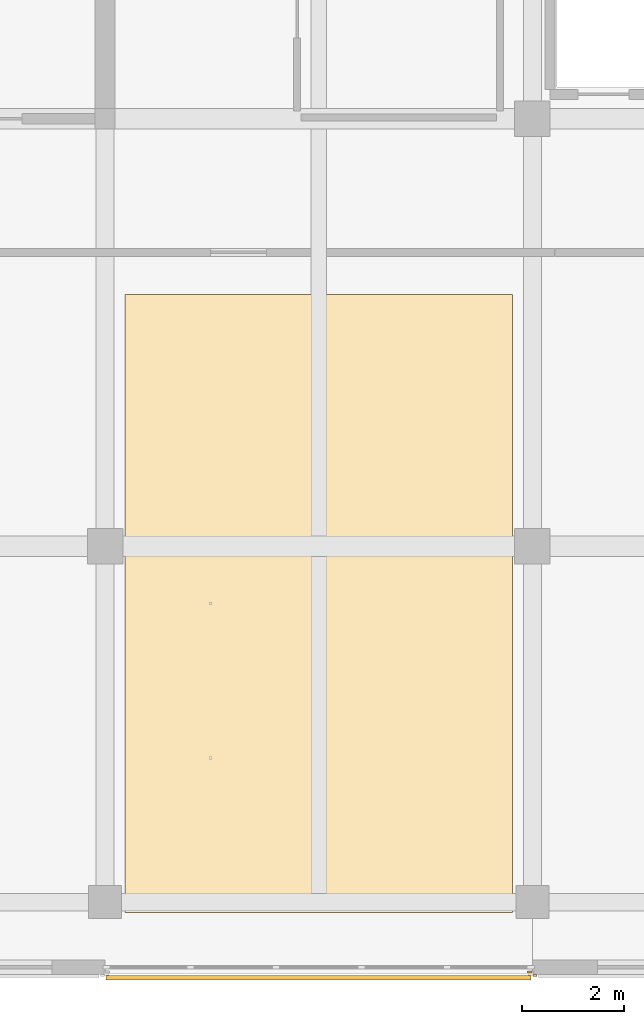
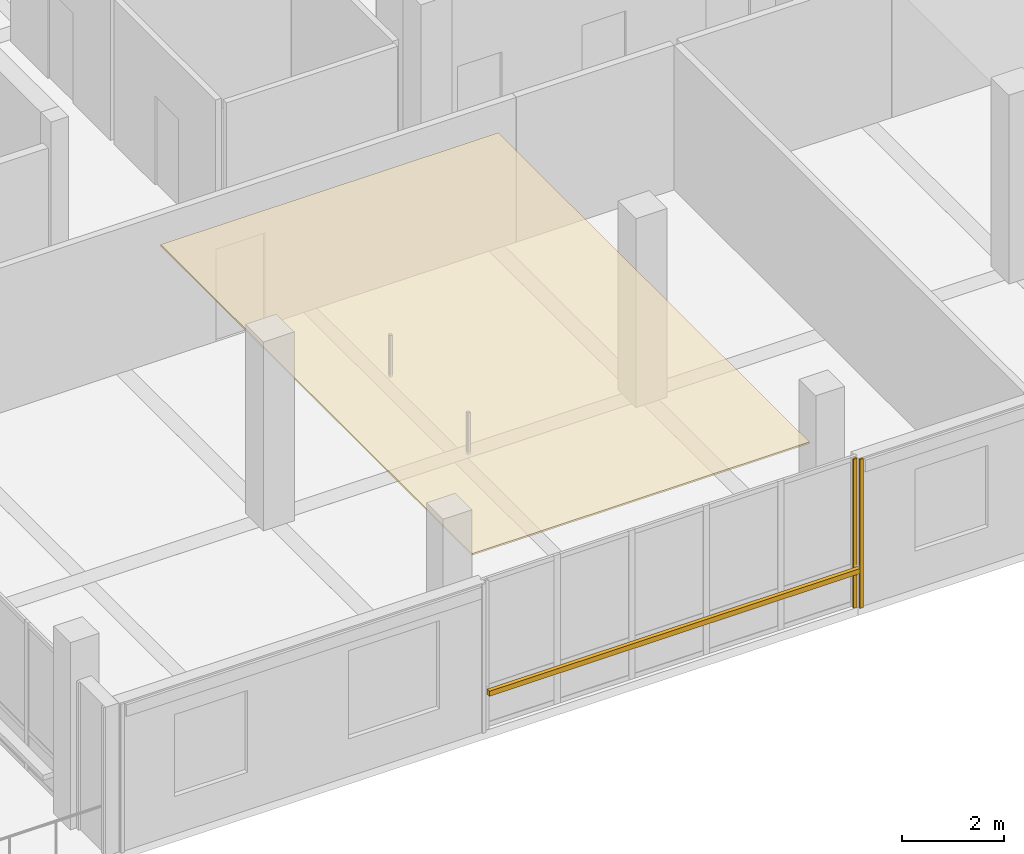
# One storey, part 18 of 28: 3 coverings, 1 shading device.
"""IFC4 building model written with IfcOpenShell, lengths in metres."""

import ifcopenshell
import ifcopenshell.guid

model = None  # the IFC model being written
_history = None  # IfcOwnerHistory: only IFC2X3 demands one
_inside = {}  # id of a spatial element -> (the spatial element, [elements in it])
_under = {}  # id of a project, library or spatial element -> (it, [spatial elements below it])
_declared = {}  # id of a project -> (the project, [libraries it declares])
_typed = {}  # id of a type object -> (the type object, [elements of that type])
_made_of = {}  # id of a material, layer set ... -> (it, [elements and type objects made of it])


def new_model(schema):
    """Start an empty IFC model of exactly this schema.

    Asked for "IFC4X3", IfcOpenShell would pick the latest addendum, in which some entities
    have other attributes; the version numbers below select the first issue.
    IFC2X3 requires an IfcOwnerHistory on every rooted entity: one is made here for all.
    """
    global model, _history
    if schema == "IFC4X3":
        model = ifcopenshell.file(schema_version=(4, 3, 0, 0))
    else:
        model = ifcopenshell.file(schema=schema)
    _inside.clear()
    _under.clear()
    _declared.clear()
    _typed.clear()
    _made_of.clear()
    _history = None
    if model.schema == "IFC2X3":
        org = make("IfcOrganization", Name="unknown")
        user = make(
            "IfcPersonAndOrganization",
            ThePerson=make("IfcPerson", FamilyName="unknown"),
            TheOrganization=org,
        )
        app = make(
            "IfcApplication",
            ApplicationDeveloper=org,
            Version="unknown",
            ApplicationFullName="unknown",
            ApplicationIdentifier="unknown",
        )
        _history = make(
            "IfcOwnerHistory",
            OwningUser=user,
            OwningApplication=app,
            ChangeAction="ADDED",
            CreationDate=0,
        )
    return model


def make(cls, **values):
    """One entity of the class cls with the attributes given. An attribute that is None is left unset."""
    return model.create_entity(
        cls, **{name: value for name, value in values.items() if value is not None}
    )


def rooted(cls, **values):
    """An entity with a GlobalId (a new one), such as an element, a storey or a relation."""
    return make(cls, GlobalId=ifcopenshell.guid.new(), OwnerHistory=_history, **values)


def si_unit(unit_type, name, prefix=None):
    """IfcSIUnit, for example si_unit("LENGTHUNIT", "METRE", prefix="MILLI")."""
    return make("IfcSIUnit", UnitType=unit_type, Prefix=prefix, Name=name)


def assignment(units):
    """IfcUnitAssignment: the units of a project."""
    return None if units is None else make("IfcUnitAssignment", Units=units)


def point(xyz):
    """IfcCartesianPoint."""
    return None if xyz is None else make("IfcCartesianPoint", Coordinates=xyz)


def direction(xyz):
    """IfcDirection."""
    return None if xyz is None else make("IfcDirection", DirectionRatios=xyz)


def frame(location, z_axis=None, x_axis=None):
    """IfcAxis2Placement3D, a coordinate frame: its origin and axes. An axis left out is left unset."""
    return make(
        "IfcAxis2Placement3D",
        Location=point(location),
        Axis=direction(z_axis),
        RefDirection=direction(x_axis),
    )


def frame_2d(location, x_axis=None):
    """IfcAxis2Placement2D, a coordinate frame in the plane: its origin and x axis."""
    return make(
        "IfcAxis2Placement2D", Location=point(location), RefDirection=direction(x_axis)
    )


def origin():
    """The frame at (0, 0, 0) with its axes left unset."""
    return frame((0.0, 0.0, 0.0))


def origin_2d():
    """The frame at (0, 0) in the plane with its x axis left unset."""
    return frame_2d((0.0, 0.0))


def place(relative_to, where):
    """IfcLocalPlacement: puts the frame where relative to a parent placement (None: the world)."""
    return make(
        "IfcLocalPlacement", PlacementRelTo=relative_to, RelativePlacement=where
    )


def context(
    kind, dimensions, precision=None, world=None, true_north=None, identifier=None
):
    """IfcGeometricRepresentationContext, for example the 3D "Model" context."""
    return make(
        "IfcGeometricRepresentationContext",
        ContextIdentifier=identifier,
        ContextType=kind,
        CoordinateSpaceDimension=dimensions,
        Precision=precision,
        WorldCoordinateSystem=world,
        TrueNorth=true_north,
    )


def subcontext(parent, identifier, kind, view, scale=None):
    """IfcGeometricRepresentationSubContext, for example "Body" below "Model"."""
    return make(
        "IfcGeometricRepresentationSubContext",
        ContextIdentifier=identifier,
        ContextType=kind,
        ParentContext=parent,
        TargetScale=scale,
        TargetView=view,
    )


def project(units=None, contexts=None):
    """IfcProject with its units and contexts."""
    return rooted(
        "IfcProject",
        Name="project",
        RepresentationContexts=contexts,
        UnitsInContext=assignment(units),
    )


def spatial(cls, under=None, at=None, **own):
    """A site, building, storey or space (cls), placed at a placement, below another one or the project."""
    s = rooted(cls, ObjectPlacement=at, **own)
    if under is not None:
        _under.setdefault(under.id(), (under, []))[1].append(s)
    return s


def polyline(points):
    """IfcPolyline through the points."""
    return make("IfcPolyline", Points=[point(p) for p in points])


def profile(cls, at=None, kind="AREA", **sizes):
    """A parametric profile (cls). Its sizes go by their IFC names, for example OverallWidth=200.0."""
    return make(cls, ProfileType=kind, Position=at, **sizes)


def rectangle(**sizes):
    """IfcRectangleProfileDef."""
    return profile("IfcRectangleProfileDef", **sizes)


def outline(outer, holes=None, kind="AREA"):
    """IfcArbitraryClosedProfileDef: a profile drawn as a closed curve; with holes, ...WithVoids."""
    if holes is None:
        return make("IfcArbitraryClosedProfileDef", ProfileType=kind, OuterCurve=outer)
    return make(
        "IfcArbitraryProfileDefWithVoids",
        ProfileType=kind,
        OuterCurve=outer,
        InnerCurves=holes,
    )


def extrude(swept, where, along, depth):
    """IfcExtrudedAreaSolid: the profile swept, set in the frame where, extruded along a direction by depth."""
    return make(
        "IfcExtrudedAreaSolid",
        SweptArea=swept,
        Position=where,
        ExtrudedDirection=direction(along),
        Depth=depth,
    )


def shape(context_of_items, identifier, shape_type, items):
    """IfcShapeRepresentation: the items that make up one representation, for example the "Body"."""
    return make(
        "IfcShapeRepresentation",
        ContextOfItems=context_of_items,
        RepresentationIdentifier=identifier,
        RepresentationType=shape_type,
        Items=items,
    )


def material(Name=None, Category=None):
    """IfcMaterial."""
    return make("IfcMaterial", Name=Name, Category=Category)


def layer(
    of_material, thickness, ventilated=None, Name=None, Category=None, Priority=None
):
    """IfcMaterialLayer: one layer of a wall or slab, of a material (None: an air gap)."""
    return make(
        "IfcMaterialLayer",
        Material=of_material,
        LayerThickness=thickness,
        IsVentilated=ventilated,
        Name=Name,
        Category=Category,
        Priority=Priority,
    )


def layer_set(layers, Name=None):
    """IfcMaterialLayerSet."""
    return make("IfcMaterialLayerSet", MaterialLayers=layers, LayerSetName=Name)


def made_of(thing, what):
    """Note that an element or type object is made of a material, layer set ...; save() writes the relation."""
    if what is not None:
        _made_of.setdefault(what.id(), (what, []))[1].append(thing)
    return thing


def type_object(cls, material=None, **own):
    """A type object (cls), such as IfcWallType, which elements share."""
    return made_of(rooted(cls, **own), material)


def element(
    cls,
    number,
    at=None,
    inside=None,
    cuts=None,
    type_object=None,
    material=None,
    context=None,
    identifier="Body",
    shape_type=None,
    held_by="IfcProductDefinitionShape",
    body=None,
    shapes=None,
    **own,
):
    """One element of the class cls, such as IfcWall. Its Tag is "e" and its number.

    at: its placement. inside: the storey or other place that contains it. cuts: it is an
    opening in that element (IfcRelVoidsElement). A single representation is given by context,
    identifier, shape_type and body (its items); several are given by shapes. held_by: the class
    of the entity that holds the representations. save() writes the other relations.
    """
    e = rooted(cls, Tag="e%d" % number, ObjectPlacement=at, **own)
    if body is not None:
        shapes = [shape(context, identifier, shape_type, body)]
    if shapes is not None:
        e.Representation = make(held_by, Representations=shapes)
    if inside is not None:
        _inside.setdefault(inside.id(), (inside, []))[1].append(e)
    if cuts is not None:
        rooted(
            "IfcRelVoidsElement", RelatingBuildingElement=cuts, RelatedOpeningElement=e
        )
    if type_object is not None:
        _typed.setdefault(type_object.id(), (type_object, []))[1].append(e)
    return made_of(e, material)


def aggregate(whole, parts):
    """IfcRelAggregates: a whole, such as a stair, and the parts it consists of."""
    return rooted("IfcRelAggregates", RelatingObject=whole, RelatedObjects=parts)


def save(model, path):
    """Write the relations noted so far, then the file.

    IfcRelAggregates (storeys below a building ...), IfcRelContainedInSpatialStructure (elements
    in a storey), IfcRelDefinesByType, IfcRelAssociatesMaterial and IfcRelDeclares: one each for
    every whole, place, type object, material and project.
    """
    for whole, parts in _under.values():
        aggregate(whole, parts)
    for where, things in _inside.values():
        rooted(
            "IfcRelContainedInSpatialStructure",
            RelatedElements=things,
            RelatingStructure=where,
        )
    for kind, things in _typed.values():
        rooted("IfcRelDefinesByType", RelatedObjects=things, RelatingType=kind)
    for what, things in _made_of.values():
        rooted("IfcRelAssociatesMaterial", RelatedObjects=things, RelatingMaterial=what)
    for by, libraries in _declared.values():
        rooted("IfcRelDeclares", RelatingContext=by, RelatedDefinitions=libraries)
    model.write(path)


model = new_model("IFC4")

# Units and contexts
model_context = context("Model", 3, precision=1e-05, world=origin(), true_north=direction((0.0, 1.0)))
body_context = subcontext(model_context, "Body", "Model", "MODEL_VIEW")
ifc_project = project(units=[si_unit("LENGTHUNIT", "METRE"), si_unit("AREAUNIT", "SQUARE_METRE"), si_unit("VOLUMEUNIT", "CUBIC_METRE"), si_unit("PLANEANGLEUNIT", "RADIAN"), si_unit("MASSUNIT", "GRAM", prefix="KILO")], contexts=[model_context])

# Site, building, storey
site_placement = place(None, origin())
site = spatial("IfcSite", under=ifc_project, at=site_placement, CompositionType="ELEMENT")
building_placement = place(site_placement, origin())
building = spatial("IfcBuilding", under=site, at=building_placement, Name="Telukmera Botanical Conservatory", CompositionType="ELEMENT")
storey_placement = place(building_placement, frame((0.0, 0.0, 51.0)))
storey = spatial("IfcBuildingStorey", under=building, at=storey_placement, Name="L11", CompositionType="ELEMENT", Elevation=51.0)

# Coverings
ifc_material_1 = material(Name="Perforated gypsum acoustic ceiling")
ifc_layer_1 = layer(ifc_material_1, 0.0400390625)
ifc_layer_set_1 = layer_set([ifc_layer_1], Name="Perforated gypsum acoustic ceiling")
covering_type_1 = type_object("IfcCoveringType", Name="COV-CEIL-40", PredefinedType="CEILING", material=ifc_layer_set_1)
covering_placement = place(storey_placement, frame((0.0, 0.0, 3.31005859375)))
element("IfcCovering", 1, at=covering_placement, inside=storey, type_object=covering_type_1, Name="L11 Phytochemistry Laboratory Suspended Acoustic Ceiling", PredefinedType="CEILING", context=body_context, shape_type="SweptSolid", body=[
    extrude(outline(polyline([(67.594970703125, 10.39990234375), (75.205078125, 10.39990234375), (75.205078125, 22.550048828125), (67.594970703125, 22.550048828125), (67.594970703125, 10.39990234375)])), origin(), (0.0, 0.0, 1.0), 0.0400390625),
])
ifc_material_2 = material(Name="Granite-faced precast concrete C40/50", Category="masonry")
ifc_layer_2 = layer(ifc_material_2, 0.0400390625)
ifc_layer_set_2 = layer_set([ifc_layer_2], Name="Granite-faced precast concrete C40/50")
covering_type_2 = type_object("IfcCoveringType", Name="Granite Precast Column Pier Reveal Casing", PredefinedType="CLADDING", material=ifc_layer_set_2)
for number, where, z_axis, x_axis, name in (
    (2, (75.548095703125, 9.22998046875, 0.0), (0.0, 0.0, 1.0), (1.0, 0.0, 0.0), "Granite Pier Reveal V4:L11:S2 R"),
    (3, (75.652099609375, 9.159912109375, 0.0), (0.0, 0.0, 1.0), (1.0, 0.0, 0.0), "Granite Pier Reveal V4:L11:S3 L"),
):
    element("IfcCovering", number, at=place(storey_placement, frame(where, z_axis=z_axis, x_axis=x_axis)), inside=storey, type_object=covering_type_2, Name=name, PredefinedType="CLADDING", context=body_context, shape_type="SweptSolid", body=[
        extrude(rectangle(XDim=0.080078125, YDim=0.0400390625, at=origin_2d()), origin(), (0.0, 0.0, 1.0), 3.550048828125),
    ])

# Shading device
ifc_material_3 = material(Name="Perforated terracotta-anodised aluminium 6063-T6", Category="masonry")
ifc_layer_3 = layer(ifc_material_3, 0.044921875)
ifc_layer_set_3 = layer_set([ifc_layer_3], Name="Perforated terracotta-anodised aluminium 6063-T6")
shading_device_type = type_object("IfcShadingDeviceType", Name="Perforated Terracotta Aluminium Monsoon Brise Soleil", PredefinedType="JALOUSIE", material=ifc_layer_set_3)
shading_device_placement = place(storey_placement, frame((71.39990234375, 9.114990234375, 0.889892578125), z_axis=(0.0, 0.0, 1.0), x_axis=(1.0, 0.0, 0.0)))
element("IfcShadingDevice", 4, at=shading_device_placement, inside=storey, type_object=shading_device_type, Name="Monsoon Shading BS01 V4:L11:S2", PredefinedType="JALOUSIE", context=body_context, shape_type="SweptSolid", body=[
    extrude(rectangle(XDim=8.35595703125, YDim=0.090087890625, at=origin_2d()), origin(), (0.0, 0.0, 1.0), 0.1201171875),
])

save(model, "model.ifc")
